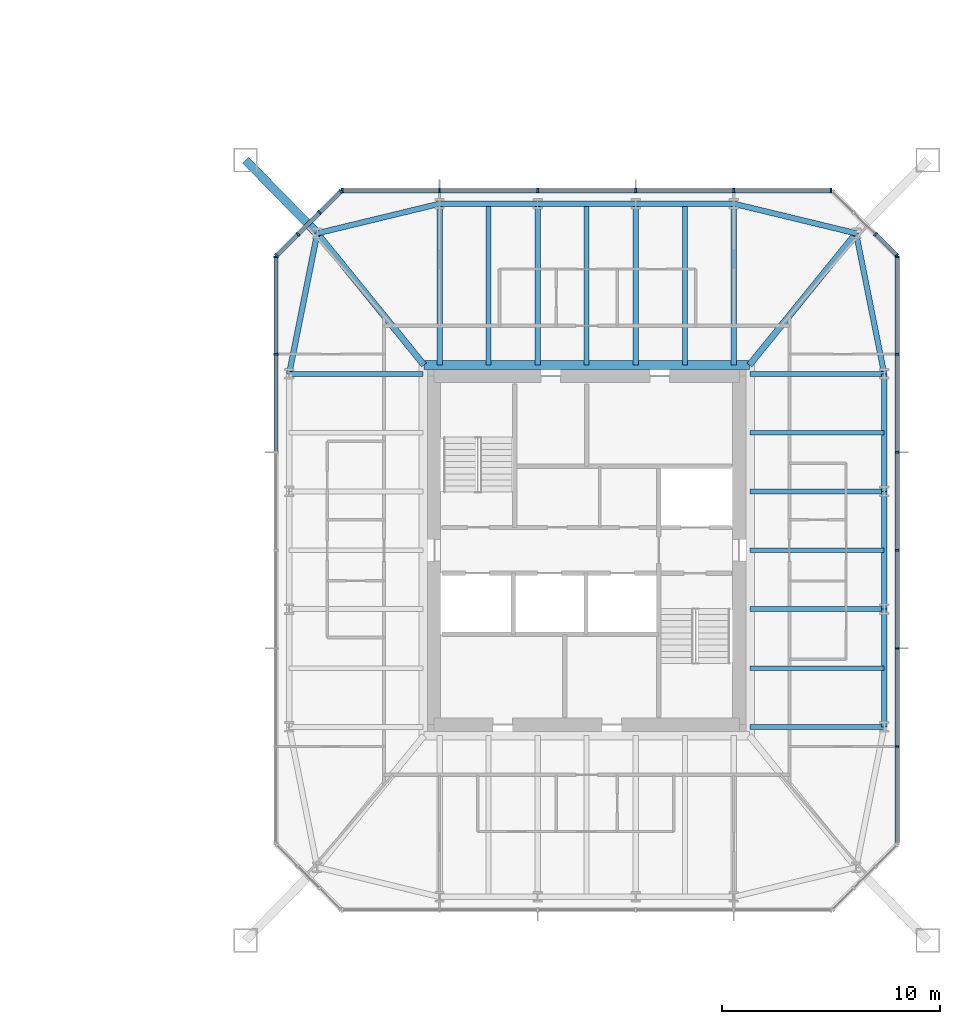
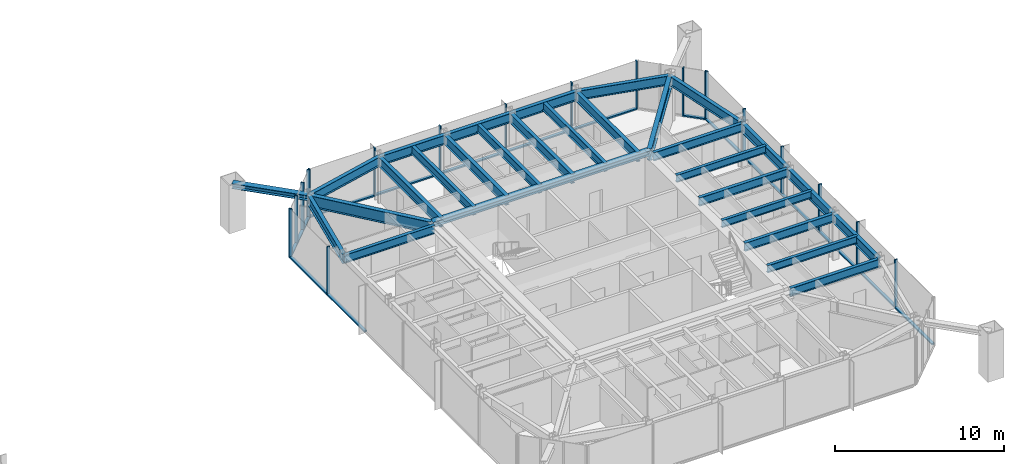
# One storey, part 9 of 25: 38 members, 28 beams, 5 elements without a shape of their own.
"""IFC4 building model written with IfcOpenShell, lengths in metres."""

from ifc_helpers import new_model, si_unit, direction, frame, origin, origin_2d, place, context, subcontext, project, spatial, rectangle, i_section, extrude, material, material_profile, profile_set, type_object, element, aggregate, save


model = new_model("IFC4")

# Units and contexts
model_context = context("Model", 3, precision=1e-05, world=origin(), true_north=direction((0.0, 1.0)))
body_context = subcontext(model_context, "Body", "Model", "MODEL_VIEW")
ifc_project = project(units=[si_unit("LENGTHUNIT", "METRE"), si_unit("AREAUNIT", "SQUARE_METRE"), si_unit("VOLUMEUNIT", "CUBIC_METRE"), si_unit("PLANEANGLEUNIT", "RADIAN"), si_unit("MASSUNIT", "GRAM", prefix="KILO")], contexts=[model_context])

# Site, building, storey
site_placement = place(None, origin())
site = spatial("IfcSite", under=ifc_project, at=site_placement, CompositionType="ELEMENT")
building_placement = place(site_placement, origin())
building = spatial("IfcBuilding", under=site, at=building_placement, Name="Iwan Alto Co-Living Towers", CompositionType="ELEMENT")
storey_placement = place(building_placement, frame((0.0, 0.0, 112.0)))
storey = spatial("IfcBuildingStorey", under=building, at=storey_placement, Name="L30", CompositionType="ELEMENT", Elevation=112.0)

# Curtain wall, members
ifc_material_1 = material(Name="Bronze aluminium unitised frame", Category="aluminium")
curtain_wall_type_1 = type_object("IfcCurtainWallType", Name="CURTAIN WALL CW-C", PredefinedType="NOTDEFINED", material=ifc_material_1)
curtain_wall_1_placement = place(storey_placement, origin())
curtain_wall_1 = element("IfcCurtainWall", 1, at=curtain_wall_1_placement, inside=storey, type_object=curtain_wall_type_1, Name="T2 curtain wall E L30", PredefinedType="NOTDEFINED")
ifc_material_2 = material(Name="Aluminium 6063-T6 bronze anodised", Category="aluminium")
ifc_material_profile_1 = material_profile(ifc_material_2, rectangle(XDim=0.199951171875, YDim=0.080078125, at=origin_2d()), Name="AL 80X200")
ifc_profile_set_1 = profile_set([ifc_material_profile_1], Name="Aluminium 6063-T6 bronze anodised")
member_type_1 = type_object("IfcMemberType", Name="CW-C MULLION 80X200", PredefinedType="MULLION", material=ifc_profile_set_1)
member_1_placement = place(storey_placement, frame((77.25, -9.0, 0.0), z_axis=(0.0, 0.0, 1.0), x_axis=(-1.0, 0.0, 0.0)))
member_1 = element("IfcMember", 2, at=member_1_placement, type_object=member_type_1, Name="CW-C mullion 2", PredefinedType="MULLION", context=body_context, shape_type="SweptSolid", body=[
    extrude(rectangle(XDim=0.199951171875, YDim=0.080078125, at=origin_2d()), origin(), (0.0, 0.0, 1.0), 3.5),
])
member_2_placement = place(storey_placement, frame((77.25, -4.5, 0.0), z_axis=(0.0, 0.0, 1.0), x_axis=(-1.0, 0.0, 0.0)))
member_2 = element("IfcMember", 3, at=member_2_placement, type_object=member_type_1, Name="CW-C mullion 3", PredefinedType="MULLION", context=body_context, shape_type="SweptSolid", body=[
    extrude(rectangle(XDim=0.199951171875, YDim=0.080078125, at=origin_2d()), origin(), (0.0, 0.0, 1.0), 3.5),
])
member_3_placement = place(storey_placement, frame((77.25, 0.0, 0.0), z_axis=(0.0, 0.0, 1.0), x_axis=(-1.0, 0.0, 0.0)))
member_3 = element("IfcMember", 4, at=member_3_placement, type_object=member_type_1, Name="CW-C mullion 4", PredefinedType="MULLION", context=body_context, shape_type="SweptSolid", body=[
    extrude(rectangle(XDim=0.199951171875, YDim=0.080078125, at=origin_2d()), origin(), (0.0, 0.0, 1.0), 3.5),
])
member_4_placement = place(storey_placement, frame((77.25, 4.5, 0.0), z_axis=(0.0, 0.0, 1.0), x_axis=(-1.0, 0.0, 0.0)))
member_4 = element("IfcMember", 5, at=member_4_placement, type_object=member_type_1, Name="CW-C mullion 5", PredefinedType="MULLION", context=body_context, shape_type="SweptSolid", body=[
    extrude(rectangle(XDim=0.199951171875, YDim=0.080078125, at=origin_2d()), origin(), (0.0, 0.0, 1.0), 3.5),
])
member_5_placement = place(storey_placement, frame((77.25, 9.0, 0.0), z_axis=(0.0, 0.0, 1.0), x_axis=(-1.0, 0.0, 0.0)))
member_5 = element("IfcMember", 6, at=member_5_placement, type_object=member_type_1, Name="CW-C mullion 6", PredefinedType="MULLION", context=body_context, shape_type="SweptSolid", body=[
    extrude(rectangle(XDim=0.199951171875, YDim=0.080078125, at=origin_2d()), origin(), (0.0, 0.0, 1.0), 3.5),
])
member_6_placement = place(storey_placement, frame((77.25, 13.4599609375, 0.0), z_axis=(0.0, 0.0, 1.0), x_axis=(-1.0, 0.0, 0.0)))
member_6 = element("IfcMember", 7, at=member_6_placement, type_object=member_type_1, Name="CW-C mullion 7", PredefinedType="MULLION", context=body_context, shape_type="SweptSolid", body=[
    extrude(rectangle(XDim=0.199951171875, YDim=0.080078125, at=origin_2d()), origin(), (0.0, 0.0, 1.0), 3.5),
])

curtain_wall_2_placement = place(storey_placement, origin())
curtain_wall_2 = element("IfcCurtainWall", 8, at=curtain_wall_2_placement, inside=storey, type_object=curtain_wall_type_1, Name="T2 curtain wall N L30", PredefinedType="NOTDEFINED")
member_7_placement = place(storey_placement, frame((74.2099609375, 16.5, 0.0), z_axis=(0.0, 0.0, 1.0), x_axis=(0.0, -1.0, 0.0)))
member_7 = element("IfcMember", 9, at=member_7_placement, type_object=member_type_1, Name="CW-C mullion 1", PredefinedType="MULLION", context=body_context, shape_type="SweptSolid", body=[
    extrude(rectangle(XDim=0.199951171875, YDim=0.080078125, at=origin_2d()), origin(), (0.0, 0.0, 1.0), 3.5),
])
member_8_placement = place(storey_placement, frame((69.75, 16.5, 0.0), z_axis=(0.0, 0.0, 1.0), x_axis=(0.0, -1.0, 0.0)))
member_8 = element("IfcMember", 10, at=member_8_placement, type_object=member_type_1, Name="CW-C mullion 2", PredefinedType="MULLION", context=body_context, shape_type="SweptSolid", body=[
    extrude(rectangle(XDim=0.199951171875, YDim=0.080078125, at=origin_2d()), origin(), (0.0, 0.0, 1.0), 3.5),
])
member_9_placement = place(storey_placement, frame((65.25, 16.5, 0.0), z_axis=(0.0, 0.0, 1.0), x_axis=(0.0, -1.0, 0.0)))
member_9 = element("IfcMember", 11, at=member_9_placement, type_object=member_type_1, Name="CW-C mullion 3", PredefinedType="MULLION", context=body_context, shape_type="SweptSolid", body=[
    extrude(rectangle(XDim=0.199951171875, YDim=0.080078125, at=origin_2d()), origin(), (0.0, 0.0, 1.0), 3.5),
])
member_10_placement = place(storey_placement, frame((60.75, 16.5, 0.0), z_axis=(0.0, 0.0, 1.0), x_axis=(0.0, -1.0, 0.0)))
member_10 = element("IfcMember", 12, at=member_10_placement, type_object=member_type_1, Name="CW-C mullion 4", PredefinedType="MULLION", context=body_context, shape_type="SweptSolid", body=[
    extrude(rectangle(XDim=0.199951171875, YDim=0.080078125, at=origin_2d()), origin(), (0.0, 0.0, 1.0), 3.5),
])
member_11_placement = place(storey_placement, frame((56.25, 16.5, 0.0), z_axis=(0.0, 0.0, 1.0), x_axis=(0.0, -1.0, 0.0)))
member_11 = element("IfcMember", 13, at=member_11_placement, type_object=member_type_1, Name="CW-C mullion 5", PredefinedType="MULLION", context=body_context, shape_type="SweptSolid", body=[
    extrude(rectangle(XDim=0.199951171875, YDim=0.080078125, at=origin_2d()), origin(), (0.0, 0.0, 1.0), 3.5),
])
member_12_placement = place(storey_placement, frame((51.7900390625, 16.5, 0.0), z_axis=(0.0, 0.0, 1.0), x_axis=(0.0, -1.0, 0.0)))
member_12 = element("IfcMember", 14, at=member_12_placement, type_object=member_type_1, Name="CW-C mullion 6", PredefinedType="MULLION", context=body_context, shape_type="SweptSolid", body=[
    extrude(rectangle(XDim=0.199951171875, YDim=0.080078125, at=origin_2d()), origin(), (0.0, 0.0, 1.0), 3.5),
])

curtain_wall_3_placement = place(storey_placement, origin())
curtain_wall_3 = element("IfcCurtainWall", 15, at=curtain_wall_3_placement, inside=storey, type_object=curtain_wall_type_1, Name="T2 curtain wall W L30", PredefinedType="NOTDEFINED")
member_13_placement = place(storey_placement, frame((48.75, 13.4599609375, 0.0), z_axis=(0.0, 0.0, 1.0), x_axis=(1.0, 0.0, 0.0)))
member_13 = element("IfcMember", 16, at=member_13_placement, type_object=member_type_1, Name="CW-C mullion 1", PredefinedType="MULLION", context=body_context, shape_type="SweptSolid", body=[
    extrude(rectangle(XDim=0.199951171875, YDim=0.080078125, at=origin_2d()), origin(), (0.0, 0.0, 1.0), 3.5),
])
member_14_placement = place(storey_placement, frame((48.75, 9.0, 0.0), z_axis=(0.0, 0.0, 1.0), x_axis=(1.0, 0.0, 0.0)))
member_14 = element("IfcMember", 17, at=member_14_placement, type_object=member_type_1, Name="CW-C mullion 2", PredefinedType="MULLION", context=body_context, shape_type="SweptSolid", body=[
    extrude(rectangle(XDim=0.199951171875, YDim=0.080078125, at=origin_2d()), origin(), (0.0, 0.0, 1.0), 3.5),
])

# Member
ifc_material_3 = material(Name="Aluminium 6063-T6 bronze anodised", Category="aluminium")
ifc_material_profile_2 = material_profile(ifc_material_3, rectangle(XDim=0.199951171875, YDim=0.10009765625, at=origin_2d()), Name="AL 200X100")
ifc_profile_set_2 = profile_set([ifc_material_profile_2], Name="Aluminium 6063-T6 bronze anodised")
member_type_2 = type_object("IfcMemberType", Name="CW-C TRANSOM 200X100", PredefinedType="USERDEFINED", material=ifc_profile_set_2)
member_15_placement = place(storey_placement, frame((77.25, -13.419921875, 0.050048828125), z_axis=(0.0, 1.0, 0.0), x_axis=(-1.0, 0.0, 0.0)))
member_15 = element("IfcMember", 18, at=member_15_placement, type_object=member_type_2, Name="CW-C transom 1.1", ObjectType="TRANSOM", PredefinedType="USERDEFINED", context=body_context, shape_type="SweptSolid", body=[
    extrude(rectangle(XDim=0.199951171875, YDim=0.10009765625, at=origin_2d()), origin(), (0.0, 0.0, 1.0), 4.3798828125),
])

member_16_placement = place(storey_placement, frame((77.25, -8.9599609375, 0.050048828125), z_axis=(0.0, 1.0, 0.0), x_axis=(-1.0, 0.0, 0.0)))
member_16 = element("IfcMember", 19, at=member_16_placement, type_object=member_type_2, Name="CW-C transom 2.1", ObjectType="TRANSOM", PredefinedType="USERDEFINED", context=body_context, shape_type="SweptSolid", body=[
    extrude(rectangle(XDim=0.199951171875, YDim=0.10009765625, at=origin_2d()), origin(), (0.0, 0.0, 1.0), 4.419921875),
])

member_17_placement = place(storey_placement, frame((77.25, -4.4599609375, 0.050048828125), z_axis=(0.0, 1.0, 0.0), x_axis=(-1.0, 0.0, 0.0)))
member_17 = element("IfcMember", 20, at=member_17_placement, type_object=member_type_2, Name="CW-C transom 3.1", ObjectType="TRANSOM", PredefinedType="USERDEFINED", context=body_context, shape_type="SweptSolid", body=[
    extrude(rectangle(XDim=0.199951171875, YDim=0.10009765625, at=origin_2d()), origin(), (0.0, 0.0, 1.0), 4.419921875),
])

member_18_placement = place(storey_placement, frame((77.25, 0.0400390625, 0.050048828125), z_axis=(0.0, 1.0, 0.0), x_axis=(-1.0, 0.0, 0.0)))
member_18 = element("IfcMember", 21, at=member_18_placement, type_object=member_type_2, Name="CW-C transom 4.1", ObjectType="TRANSOM", PredefinedType="USERDEFINED", context=body_context, shape_type="SweptSolid", body=[
    extrude(rectangle(XDim=0.199951171875, YDim=0.10009765625, at=origin_2d()), origin(), (0.0, 0.0, 1.0), 4.419921875),
])

member_19_placement = place(storey_placement, frame((77.25, 4.5400390625, 0.050048828125), z_axis=(0.0, 1.0, 0.0), x_axis=(-1.0, 0.0, 0.0)))
member_19 = element("IfcMember", 22, at=member_19_placement, type_object=member_type_2, Name="CW-C transom 5.1", ObjectType="TRANSOM", PredefinedType="USERDEFINED", context=body_context, shape_type="SweptSolid", body=[
    extrude(rectangle(XDim=0.199951171875, YDim=0.10009765625, at=origin_2d()), origin(), (0.0, 0.0, 1.0), 4.419921875),
])

member_20_placement = place(storey_placement, frame((77.25, 9.0400390625, 0.050048828125), z_axis=(0.0, 1.0, 0.0), x_axis=(-1.0, 0.0, 0.0)))
member_20 = element("IfcMember", 23, at=member_20_placement, type_object=member_type_2, Name="CW-C transom 6.1", ObjectType="TRANSOM", PredefinedType="USERDEFINED", context=body_context, shape_type="SweptSolid", body=[
    extrude(rectangle(XDim=0.199951171875, YDim=0.10009765625, at=origin_2d()), origin(), (0.0, 0.0, 1.0), 4.3798828125),
])

aggregate(curtain_wall_1, [member_1, member_2, member_3, member_4, member_5, member_6, member_15, member_16, member_17, member_18, member_19, member_20])

member_21_placement = place(storey_placement, frame((74.169921875, 16.5, 0.050048828125), z_axis=(-1.0, 0.0, 0.0), x_axis=(0.0, -1.0, 0.0)))
member_21 = element("IfcMember", 24, at=member_21_placement, type_object=member_type_2, Name="CW-C transom 1.1", ObjectType="TRANSOM", PredefinedType="USERDEFINED", context=body_context, shape_type="SweptSolid", body=[
    extrude(rectangle(XDim=0.199951171875, YDim=0.10009765625, at=origin_2d()), origin(), (0.0, 0.0, 1.0), 4.3798828125),
])

member_22_placement = place(storey_placement, frame((69.7099609375, 16.5, 0.050048828125), z_axis=(-1.0, 0.0, 0.0), x_axis=(0.0, -1.0, 0.0)))
member_22 = element("IfcMember", 25, at=member_22_placement, type_object=member_type_2, Name="CW-C transom 2.1", ObjectType="TRANSOM", PredefinedType="USERDEFINED", context=body_context, shape_type="SweptSolid", body=[
    extrude(rectangle(XDim=0.199951171875, YDim=0.10009765625, at=origin_2d()), origin(), (0.0, 0.0, 1.0), 4.419921875),
])

member_23_placement = place(storey_placement, frame((65.2099609375, 16.5, 0.050048828125), z_axis=(-1.0, 0.0, 0.0), x_axis=(0.0, -1.0, 0.0)))
member_23 = element("IfcMember", 26, at=member_23_placement, type_object=member_type_2, Name="CW-C transom 3.1", ObjectType="TRANSOM", PredefinedType="USERDEFINED", context=body_context, shape_type="SweptSolid", body=[
    extrude(rectangle(XDim=0.199951171875, YDim=0.10009765625, at=origin_2d()), origin(), (0.0, 0.0, 1.0), 4.419921875),
])

member_24_placement = place(storey_placement, frame((60.7099609375, 16.5, 0.050048828125), z_axis=(-1.0, 0.0, 0.0), x_axis=(0.0, -1.0, 0.0)))
member_24 = element("IfcMember", 27, at=member_24_placement, type_object=member_type_2, Name="CW-C transom 4.1", ObjectType="TRANSOM", PredefinedType="USERDEFINED", context=body_context, shape_type="SweptSolid", body=[
    extrude(rectangle(XDim=0.199951171875, YDim=0.10009765625, at=origin_2d()), origin(), (0.0, 0.0, 1.0), 4.419921875),
])

member_25_placement = place(storey_placement, frame((56.2099609375, 16.5, 0.050048828125), z_axis=(-1.0, 0.0, 0.0), x_axis=(0.0, -1.0, 0.0)))
member_25 = element("IfcMember", 28, at=member_25_placement, type_object=member_type_2, Name="CW-C transom 5.1", ObjectType="TRANSOM", PredefinedType="USERDEFINED", context=body_context, shape_type="SweptSolid", body=[
    extrude(rectangle(XDim=0.199951171875, YDim=0.10009765625, at=origin_2d()), origin(), (0.0, 0.0, 1.0), 4.3798828125),
])

aggregate(curtain_wall_2, [member_7, member_8, member_9, member_10, member_11, member_12, member_21, member_22, member_23, member_24, member_25])

member_26_placement = place(storey_placement, frame((48.75, 13.419921875, 0.050048828125), z_axis=(0.0, -1.0, 0.0), x_axis=(1.0, 0.0, 0.0)))
member_26 = element("IfcMember", 29, at=member_26_placement, type_object=member_type_2, Name="CW-C transom 1.1", ObjectType="TRANSOM", PredefinedType="USERDEFINED", context=body_context, shape_type="SweptSolid", body=[
    extrude(rectangle(XDim=0.199951171875, YDim=0.10009765625, at=origin_2d()), origin(), (0.0, 0.0, 1.0), 4.3798828125),
])

member_27_placement = place(storey_placement, frame((48.75, 8.9599609375, 0.050048828125), z_axis=(0.0, -1.0, 0.0), x_axis=(1.0, 0.0, 0.0)))
member_27 = element("IfcMember", 30, at=member_27_placement, type_object=member_type_2, Name="CW-C transom 2.1", ObjectType="TRANSOM", PredefinedType="USERDEFINED", context=body_context, shape_type="SweptSolid", body=[
    extrude(rectangle(XDim=0.199951171875, YDim=0.10009765625, at=origin_2d()), origin(), (0.0, 0.0, 1.0), 4.419921875),
])

aggregate(curtain_wall_3, [member_13, member_14, member_26, member_27])

# Curtain wall, members
ifc_material_4 = material(Name="Bronze aluminium unitised frame", Category="aluminium")
curtain_wall_type_2 = type_object("IfcCurtainWallType", Name="CURTAIN WALL CW-D", PredefinedType="NOTDEFINED", material=ifc_material_4)
curtain_wall_4_placement = place(storey_placement, origin())
curtain_wall_4 = element("IfcCurtainWall", 31, at=curtain_wall_4_placement, inside=storey, type_object=curtain_wall_type_2, Name="T2 chamfer curtain wall NE L30", PredefinedType="NOTDEFINED")
ifc_material_5 = material(Name="Aluminium 6063-T6 bronze anodised", Category="aluminium")
ifc_material_profile_3 = material_profile(ifc_material_5, rectangle(XDim=0.199951171875, YDim=0.080078125, at=origin_2d()), Name="AL 80X200")
ifc_profile_set_3 = profile_set([ifc_material_profile_3], Name="Aluminium 6063-T6 bronze anodised")
member_type_3 = type_object("IfcMemberType", Name="CW-D MULLION 80X200", PredefinedType="MULLION", material=ifc_profile_set_3)
member_28_placement = place(storey_placement, frame((77.2216796875, 13.5283203125, 0.0), z_axis=(0.0, 0.0, 1.0), x_axis=(-0.707106781187, -0.707106781187, 0.0)))
member_28 = element("IfcMember", 32, at=member_28_placement, type_object=member_type_3, Name="CW-D mullion 1", PredefinedType="MULLION", context=body_context, shape_type="SweptSolid", body=[
    extrude(rectangle(XDim=0.199951171875, YDim=0.080078125, at=origin_2d()), origin(), (0.0, 0.0, 1.0), 3.5),
])
member_29_placement = place(storey_placement, frame((76.25, 14.5, 0.0), z_axis=(0.0, 0.0, 1.0), x_axis=(-0.707106781187, -0.707106781187, 0.0)))
member_29 = element("IfcMember", 33, at=member_29_placement, type_object=member_type_3, Name="CW-D mullion 2", PredefinedType="MULLION", context=body_context, shape_type="SweptSolid", body=[
    extrude(rectangle(XDim=0.199951171875, YDim=0.080078125, at=origin_2d()), origin(), (0.0, 0.0, 1.0), 3.5),
])

curtain_wall_5_placement = place(storey_placement, origin())
curtain_wall_5 = element("IfcCurtainWall", 34, at=curtain_wall_5_placement, inside=storey, type_object=curtain_wall_type_2, Name="T2 chamfer curtain wall NW L30", PredefinedType="NOTDEFINED")
member_30_placement = place(storey_placement, frame((51.7216796875, 16.4716796875, 0.0), z_axis=(0.0, 0.0, 1.0), x_axis=(0.707106781187, -0.707106781187, 0.0)))
member_30 = element("IfcMember", 35, at=member_30_placement, type_object=member_type_3, Name="CW-D mullion 1", PredefinedType="MULLION", context=body_context, shape_type="SweptSolid", body=[
    extrude(rectangle(XDim=0.199951171875, YDim=0.080078125, at=origin_2d()), origin(), (0.0, 0.0, 1.0), 3.5),
])
member_31_placement = place(storey_placement, frame((50.75, 15.5, 0.0), z_axis=(0.0, 0.0, 1.0), x_axis=(0.707106781187, -0.707106781187, 0.0)))
member_31 = element("IfcMember", 36, at=member_31_placement, type_object=member_type_3, Name="CW-D mullion 2", PredefinedType="MULLION", context=body_context, shape_type="SweptSolid", body=[
    extrude(rectangle(XDim=0.199951171875, YDim=0.080078125, at=origin_2d()), origin(), (0.0, 0.0, 1.0), 3.5),
])
member_32_placement = place(storey_placement, frame((49.75, 14.5, 0.0), z_axis=(0.0, 0.0, 1.0), x_axis=(0.707106781187, -0.707106781187, 0.0)))
member_32 = element("IfcMember", 37, at=member_32_placement, type_object=member_type_3, Name="CW-D mullion 3", PredefinedType="MULLION", context=body_context, shape_type="SweptSolid", body=[
    extrude(rectangle(XDim=0.199951171875, YDim=0.080078125, at=origin_2d()), origin(), (0.0, 0.0, 1.0), 3.5),
])
member_33_placement = place(storey_placement, frame((48.7783203125, 13.5283203125, 0.0), z_axis=(0.0, 0.0, 1.0), x_axis=(0.707106781187, -0.707106781187, 0.0)))
member_33 = element("IfcMember", 38, at=member_33_placement, type_object=member_type_3, Name="CW-D mullion 4", PredefinedType="MULLION", context=body_context, shape_type="SweptSolid", body=[
    extrude(rectangle(XDim=0.199951171875, YDim=0.080078125, at=origin_2d()), origin(), (0.0, 0.0, 1.0), 3.5),
])

# Member
ifc_material_6 = material(Name="Aluminium 6063-T6 bronze anodised", Category="aluminium")
ifc_material_profile_4 = material_profile(ifc_material_6, rectangle(XDim=0.199951171875, YDim=0.10009765625, at=origin_2d()), Name="AL 200X100")
ifc_profile_set_4 = profile_set([ifc_material_profile_4], Name="Aluminium 6063-T6 bronze anodised")
member_type_4 = type_object("IfcMemberType", Name="CW-D TRANSOM 200X100", PredefinedType="USERDEFINED", material=ifc_profile_set_4)
member_34_placement = place(storey_placement, frame((77.193359375, 13.556640625, 0.050048828125), z_axis=(-0.707106781187, 0.707106781187, 0.0), x_axis=(-0.707106781187, -0.707106781187, 0.0)))
member_34 = element("IfcMember", 39, at=member_34_placement, type_object=member_type_4, Name="CW-D transom 1.1", ObjectType="TRANSOM", PredefinedType="USERDEFINED", context=body_context, shape_type="SweptSolid", body=[
    extrude(rectangle(XDim=0.199951171875, YDim=0.10009765625, at=origin_2d()), origin(), (0.0, 0.0, 1.0), 1.2939453125),
])

aggregate(curtain_wall_4, [member_28, member_29, member_34])

member_35_placement = place(storey_placement, frame((51.693359375, 16.443359375, 0.050048828125), z_axis=(-0.707106781187, -0.707106781187, 0.0), x_axis=(0.707106781187, -0.707106781187, 0.0)))
member_35 = element("IfcMember", 40, at=member_35_placement, type_object=member_type_4, Name="CW-D transom 1.1", ObjectType="TRANSOM", PredefinedType="USERDEFINED", context=body_context, shape_type="SweptSolid", body=[
    extrude(rectangle(XDim=0.199951171875, YDim=0.10009765625, at=origin_2d()), origin(), (0.0, 0.0, 1.0), 1.2939453125),
])

member_36_placement = place(storey_placement, frame((50.7216796875, 15.4716796875, 0.050048828125), z_axis=(-0.707106781187, -0.707106781187, 0.0), x_axis=(0.707106781187, -0.707106781187, 0.0)))
member_36 = element("IfcMember", 41, at=member_36_placement, type_object=member_type_4, Name="CW-D transom 2.1", ObjectType="TRANSOM", PredefinedType="USERDEFINED", context=body_context, shape_type="SweptSolid", body=[
    extrude(rectangle(XDim=0.199951171875, YDim=0.10009765625, at=origin_2d()), origin(), (0.0, 0.0, 1.0), 1.334228515625),
])

member_37_placement = place(storey_placement, frame((49.7216796875, 14.4716796875, 0.050048828125), z_axis=(-0.707106781187, -0.707106781187, 0.0), x_axis=(0.707106781187, -0.707106781187, 0.0)))
member_37 = element("IfcMember", 42, at=member_37_placement, type_object=member_type_4, Name="CW-D transom 3.1", ObjectType="TRANSOM", PredefinedType="USERDEFINED", context=body_context, shape_type="SweptSolid", body=[
    extrude(rectangle(XDim=0.199951171875, YDim=0.10009765625, at=origin_2d()), origin(), (0.0, 0.0, 1.0), 1.2939453125),
])

aggregate(curtain_wall_5, [member_30, member_31, member_32, member_33, member_35, member_36, member_37])

# Beams
ifc_material_7 = material(Name="Steel ASTM A992 Gr 50", Category="steel")
ifc_material_profile_5 = material_profile(ifc_material_7, i_section(OverallWidth=0.398681640625, OverallDepth=0.385986328125, WebThickness=0.02099609375, FlangeThickness=0.033203125, at=origin_2d()), Name="W14X176")
ifc_profile_set_5 = profile_set([ifc_material_profile_5], Name="Steel ASTM A992 Gr 50")
beam_type_1 = type_object("IfcBeamType", Name="T2 CORE LEDGER BEAM W14X176", PredefinedType="BEAM", material=ifc_profile_set_5)
beam_1_placement = place(storey_placement, frame((70.461669921875, 8.49951171875, 3.076904296875), z_axis=(-1.0, 0.0, 0.0), x_axis=(0.0, -1.0, 0.0)))
element("IfcBeam", 43, at=beam_1_placement, inside=storey, type_object=beam_type_1, Name="T2 core ledger beam N L31", PredefinedType="BEAM", context=body_context, shape_type="SweptSolid", body=[
    extrude(i_section(OverallWidth=0.398681640625, OverallDepth=0.385986328125, WebThickness=0.02099609375, FlangeThickness=0.033203125, at=origin_2d()), origin(), (0.0, 0.0, 1.0), 14.92333984375),
])
ifc_material_8 = material(Name="Steel ASTM A992 Gr 50", Category="steel")
ifc_material_profile_6 = material_profile(ifc_material_8, i_section(OverallWidth=0.2919921875, OverallDepth=0.8408203125, WebThickness=0.0146484375, FlangeThickness=0.021728515625, at=origin_2d()), Name="W33X130")
ifc_profile_set_6 = profile_set([ifc_material_profile_6], Name="Steel ASTM A992 Gr 50")
beam_type_2 = type_object("IfcBeamType", Name="T2 CORNER GIRDER W33X130", PredefinedType="BEAM", material=ifc_profile_set_6)
for number, where, z_axis, x_axis, name in (
    (44, (75.361328125, 14.542724609375, 2.849609375), (-0.629783024592, -0.776771100091, 0.0), (0.776771100091, -0.629783024592, 0.0), "T2 corner girder CNE L31"),
    (45, (50.638671875, 14.542724609375, 2.849609375), (0.629783024592, -0.776771100091, 0.0), (0.776771100091, 0.629783024592, 0.0), "T2 corner girder CNW L31"),
):
    element("IfcBeam", number, at=place(storey_placement, frame(where, z_axis=z_axis, x_axis=x_axis)), inside=storey, type_object=beam_type_2, Name=name, PredefinedType="BEAM", context=body_context, shape_type="SweptSolid", body=[
        extrude(i_section(OverallWidth=0.2919921875, OverallDepth=0.8408203125, WebThickness=0.0146484375, FlangeThickness=0.021728515625, at=origin_2d()), origin(), (0.0, 0.0, 1.0), 7.780029296875),
    ])
ifc_material_9 = material(Name="Steel ASTM A992 Gr 50", Category="steel")
ifc_material_profile_7 = material_profile(ifc_material_9, i_section(OverallWidth=0.25390625, OverallDepth=0.683349609375, WebThickness=0.012451171875, FlangeThickness=0.018798828125, at=origin_2d()), Name="W27X94")
ifc_profile_set_7 = profile_set([ifc_material_profile_7], Name="Steel ASTM A992 Gr 50")
beam_type_3 = type_object("IfcBeamType", Name="T2 EDGE BEAM W27X94", PredefinedType="BEAM", material=ifc_profile_set_7)
beam_2_placement = place(storey_placement, frame((76.64990234375, -8.10009765625, 2.928466796875), z_axis=(0.0, 1.0, 0.0), x_axis=(-1.0, 0.0, 0.0)))
element("IfcBeam", 46, at=beam_2_placement, inside=storey, type_object=beam_type_3, Name="T2 edge beam E1 L31", PredefinedType="BEAM", context=body_context, shape_type="SweptSolid", body=[
    extrude(i_section(OverallWidth=0.25390625, OverallDepth=0.683349609375, WebThickness=0.012451171875, FlangeThickness=0.018798828125, at=origin_2d()), origin(), (0.0, 0.0, 1.0), 5.400146484375),
])
beam_3_placement = place(storey_placement, frame((76.64990234375, -2.699951171875, 2.928466796875), z_axis=(0.0, 1.0, 0.0), x_axis=(-1.0, 0.0, 0.0)))
element("IfcBeam", 47, at=beam_3_placement, inside=storey, type_object=beam_type_3, Name="T2 edge beam E2 L31", PredefinedType="BEAM", context=body_context, shape_type="SweptSolid", body=[
    extrude(i_section(OverallWidth=0.25390625, OverallDepth=0.683349609375, WebThickness=0.012451171875, FlangeThickness=0.018798828125, at=origin_2d()), origin(), (0.0, 0.0, 1.0), 5.39990234375),
])
beam_4_placement = place(storey_placement, frame((76.64990234375, 2.699951171875, 2.928466796875), z_axis=(0.0, 1.0, 0.0), x_axis=(-1.0, 0.0, 0.0)))
element("IfcBeam", 48, at=beam_4_placement, inside=storey, type_object=beam_type_3, Name="T2 edge beam E3 L31", PredefinedType="BEAM", context=body_context, shape_type="SweptSolid", body=[
    extrude(i_section(OverallWidth=0.25390625, OverallDepth=0.683349609375, WebThickness=0.012451171875, FlangeThickness=0.018798828125, at=origin_2d()), origin(), (0.0, 0.0, 1.0), 5.400146484375),
])
beam_5_placement = place(storey_placement, frame((76.64990234375, 8.10009765625, 2.928466796875), z_axis=(-0.196123281025, 0.980579246487, 0.0), x_axis=(-0.980579246487, -0.196123281025, 0.0)))
element("IfcBeam", 49, at=beam_5_placement, inside=storey, type_object=beam_type_3, Name="T2 edge beam E4 L31", PredefinedType="BEAM", context=body_context, shape_type="SweptSolid", body=[
    extrude(i_section(OverallWidth=0.25390625, OverallDepth=0.683349609375, WebThickness=0.012451171875, FlangeThickness=0.018798828125, at=origin_2d()), origin(), (0.0, 0.0, 1.0), 6.5703125),
])
beam_6_placement = place(storey_placement, frame((75.361328125, 14.542724609375, 2.928466796875), z_axis=(-0.971974673138, 0.235085590323, 0.0), x_axis=(-0.235085590323, -0.971974673138, 0.0)))
element("IfcBeam", 50, at=beam_6_placement, inside=storey, type_object=beam_type_3, Name="T2 edge beam CNE L31", PredefinedType="BEAM", context=body_context, shape_type="SweptSolid", body=[
    extrude(i_section(OverallWidth=0.25390625, OverallDepth=0.683349609375, WebThickness=0.012451171875, FlangeThickness=0.018798828125, at=origin_2d()), origin(), (0.0, 0.0, 1.0), 5.773193359375),
])
for number, where, z_axis, x_axis, name in (
    (51, (69.75, 15.89990234375, 2.928466796875), (-1.0, 0.0, 0.0), (0.0, -1.0, 0.0), "T2 edge beam N1 L31"),
    (52, (65.25, 15.89990234375, 2.928466796875), (-1.0, 0.0, 0.0), (0.0, -1.0, 0.0), "T2 edge beam N2 L31"),
    (53, (60.75, 15.89990234375, 2.928466796875), (-1.0, 0.0, 0.0), (0.0, -1.0, 0.0), "T2 edge beam N3 L31"),
):
    element("IfcBeam", number, at=place(storey_placement, frame(where, z_axis=z_axis, x_axis=x_axis)), inside=storey, type_object=beam_type_3, Name=name, PredefinedType="BEAM", context=body_context, shape_type="SweptSolid", body=[
        extrude(i_section(OverallWidth=0.25390625, OverallDepth=0.683349609375, WebThickness=0.012451171875, FlangeThickness=0.018798828125, at=origin_2d()), origin(), (0.0, 0.0, 1.0), 4.5),
    ])
beam_7_placement = place(storey_placement, frame((56.25, 15.89990234375, 2.928466796875), z_axis=(-0.971974673138, -0.235085590323, 0.0), x_axis=(0.235085590323, -0.971974673138, 0.0)))
element("IfcBeam", 54, at=beam_7_placement, inside=storey, type_object=beam_type_3, Name="T2 edge beam N4 L31", PredefinedType="BEAM", context=body_context, shape_type="SweptSolid", body=[
    extrude(i_section(OverallWidth=0.25390625, OverallDepth=0.683349609375, WebThickness=0.012451171875, FlangeThickness=0.018798828125, at=origin_2d()), origin(), (0.0, 0.0, 1.0), 5.773193359375),
])
beam_8_placement = place(storey_placement, frame((50.638671875, 14.542724609375, 2.928466796875), z_axis=(-0.196123281025, -0.980579246487, 0.0), x_axis=(0.980579246487, -0.196123281025, 0.0)))
element("IfcBeam", 55, at=beam_8_placement, inside=storey, type_object=beam_type_3, Name="T2 edge beam CNW L31", PredefinedType="BEAM", context=body_context, shape_type="SweptSolid", body=[
    extrude(i_section(OverallWidth=0.25390625, OverallDepth=0.683349609375, WebThickness=0.012451171875, FlangeThickness=0.018798828125, at=origin_2d()), origin(), (0.0, 0.0, 1.0), 6.5703125),
])

# Member
ifc_material_10 = material(Name="Steel ASTM A992 Gr 50", Category="steel")
ifc_material_profile_8 = material_profile(ifc_material_10, i_section(OverallWidth=0.393798828125, OverallDepth=0.3759765625, WebThickness=0.017333984375, FlangeThickness=0.027587890625, at=origin_2d()), Name="W14X145")
ifc_profile_set_8 = profile_set([ifc_material_profile_8], Name="Steel ASTM A992 Gr 50")
member_type_5 = type_object("IfcMemberType", Name="T2 MEGA COLUMN FLOOR TIE W14X145", PredefinedType="STRUT", material=ifc_profile_set_8)
member_38_placement = place(storey_placement, frame((47.35009765625, 17.89990234375, 3.08203125), z_axis=(0.699770096147, -0.714368121166, 0.0), x_axis=(0.714368121166, 0.699770096147, 0.0)))
element("IfcMember", 56, at=member_38_placement, inside=storey, type_object=member_type_5, Name="T2 mega column floor tie NW L31", PredefinedType="STRUT", context=body_context, shape_type="SweptSolid", body=[
    extrude(i_section(OverallWidth=0.393798828125, OverallDepth=0.3759765625, WebThickness=0.017333984375, FlangeThickness=0.027587890625, at=origin_2d()), origin(), (0.0, 0.0, 1.0), 4.699462890625),
])

# Beams
ifc_material_11 = material(Name="Steel ASTM A992 Gr 50", Category="steel")
ifc_material_profile_9 = material_profile(ifc_material_11, i_section(OverallWidth=0.228271484375, OverallDepth=0.607177734375, WebThickness=0.01123046875, FlangeThickness=0.017333984375, at=origin_2d()), Name="W24X76")
ifc_profile_set_9 = profile_set([ifc_material_profile_9], Name="Steel ASTM A992 Gr 50")
beam_type_4 = type_object("IfcBeamType", Name="T2 RADIAL BEAM W24X76", PredefinedType="BEAM", material=ifc_profile_set_9)
for number, where, z_axis, x_axis, name in (
    (57, (76.64990234375, -8.10009765625, 2.966552734375), (-1.0, 0.0, 0.0), (0.0, -1.0, 0.0), "T2 radial beam E1 L31"),
    (58, (76.64990234375, -2.699951171875, 2.966552734375), (-1.0, 0.0, 0.0), (0.0, -1.0, 0.0), "T2 radial beam E2 L31"),
    (59, (76.64990234375, 2.699951171875, 2.966552734375), (-1.0, 0.0, 0.0), (0.0, -1.0, 0.0), "T2 radial beam E3 L31"),
    (60, (76.64990234375, 8.10009765625, 2.966552734375), (-1.0, 0.0, 0.0), (0.0, -1.0, 0.0), "T2 radial beam E4 L31"),
    (61, (49.35009765625, 8.10009765625, 2.966552734375), (1.0, 0.0, 0.0), (0.0, 1.0, 0.0), "T2 radial beam W1 L31"),
):
    element("IfcBeam", number, at=place(storey_placement, frame(where, z_axis=z_axis, x_axis=x_axis)), inside=storey, type_object=beam_type_4, Name=name, PredefinedType="BEAM", context=body_context, shape_type="SweptSolid", body=[
        extrude(i_section(OverallWidth=0.228271484375, OverallDepth=0.607177734375, WebThickness=0.01123046875, FlangeThickness=0.017333984375, at=origin_2d()), origin(), (0.0, 0.0, 1.0), 6.150390625),
    ])
ifc_material_12 = material(Name="Steel ASTM A992 Gr 50", Category="steel")
ifc_material_profile_10 = material_profile(ifc_material_12, i_section(OverallWidth=0.25390625, OverallDepth=0.683349609375, WebThickness=0.012451171875, FlangeThickness=0.018798828125, at=origin_2d()), Name="W27X94")
ifc_profile_set_10 = profile_set([ifc_material_profile_10], Name="Steel ASTM A992 Gr 50")
beam_type_5 = type_object("IfcBeamType", Name="T2 RADIAL BEAM W27X94", PredefinedType="BEAM", material=ifc_profile_set_10)
for number, where, z_axis, x_axis, name in (
    (62, (69.75, 15.89990234375, 2.928466796875), (0.0, -1.0, 0.0), (1.0, 0.0, 0.0), "T2 radial beam N1 L31"),
    (63, (65.25, 15.89990234375, 2.928466796875), (0.0, -1.0, 0.0), (1.0, 0.0, 0.0), "T2 radial beam N2 L31"),
    (64, (60.75, 15.89990234375, 2.928466796875), (0.0, -1.0, 0.0), (1.0, 0.0, 0.0), "T2 radial beam N3 L31"),
    (65, (56.25, 15.89990234375, 2.928466796875), (0.0, -1.0, 0.0), (1.0, 0.0, 0.0), "T2 radial beam N4 L31"),
):
    element("IfcBeam", number, at=place(storey_placement, frame(where, z_axis=z_axis, x_axis=x_axis)), inside=storey, type_object=beam_type_5, Name=name, PredefinedType="BEAM", context=body_context, shape_type="SweptSolid", body=[
        extrude(i_section(OverallWidth=0.25390625, OverallDepth=0.683349609375, WebThickness=0.012451171875, FlangeThickness=0.018798828125, at=origin_2d()), origin(), (0.0, 0.0, 1.0), 7.400390625),
    ])
ifc_material_13 = material(Name="Steel ASTM A992 Gr 50", Category="steel")
ifc_material_profile_11 = material_profile(ifc_material_13, i_section(OverallWidth=0.209228515625, OverallDepth=0.533447265625, WebThickness=0.01025390625, FlangeThickness=0.015625, at=origin_2d()), Name="W21X62")
ifc_profile_set_11 = profile_set([ifc_material_profile_11], Name="Steel ASTM A992 Gr 50")
beam_type_6 = type_object("IfcBeamType", Name="T2 SECONDARY BEAM W21X62", PredefinedType="JOIST", material=ifc_profile_set_11)
for number, where, z_axis, x_axis, name in (
    (66, (76.64990234375, -5.39990234375, 3.00341796875), (-1.0, 0.0, 0.0), (0.0, -1.0, 0.0), "T2 secondary beam E1 L31"),
    (67, (76.64990234375, 0.0, 3.00341796875), (-1.0, 0.0, 0.0), (0.0, -1.0, 0.0), "T2 secondary beam E2 L31"),
    (68, (76.64990234375, 5.39990234375, 3.00341796875), (-1.0, 0.0, 0.0), (0.0, -1.0, 0.0), "T2 secondary beam E3 L31"),
):
    element("IfcBeam", number, at=place(storey_placement, frame(where, z_axis=z_axis, x_axis=x_axis)), inside=storey, type_object=beam_type_6, Name=name, PredefinedType="JOIST", context=body_context, shape_type="SweptSolid", body=[
        extrude(i_section(OverallWidth=0.209228515625, OverallDepth=0.533447265625, WebThickness=0.01025390625, FlangeThickness=0.015625, at=origin_2d()), origin(), (0.0, 0.0, 1.0), 6.150390625),
    ])
ifc_material_14 = material(Name="Steel ASTM A992 Gr 50", Category="steel")
ifc_material_profile_12 = material_profile(ifc_material_14, i_section(OverallWidth=0.228271484375, OverallDepth=0.607177734375, WebThickness=0.01123046875, FlangeThickness=0.017333984375, at=origin_2d()), Name="W24X76")
ifc_profile_set_12 = profile_set([ifc_material_profile_12], Name="Steel ASTM A992 Gr 50")
beam_type_7 = type_object("IfcBeamType", Name="T2 SECONDARY BEAM W24X76", PredefinedType="JOIST", material=ifc_profile_set_12)
for number, where, z_axis, x_axis, name in (
    (69, (67.5, 15.89990234375, 2.966552734375), (0.0, -1.0, 0.0), (1.0, 0.0, 0.0), "T2 secondary beam N1 L31"),
    (70, (63.0, 15.89990234375, 2.966552734375), (0.0, -1.0, 0.0), (1.0, 0.0, 0.0), "T2 secondary beam N2 L31"),
    (71, (58.5, 15.89990234375, 2.966552734375), (0.0, -1.0, 0.0), (1.0, 0.0, 0.0), "T2 secondary beam N3 L31"),
):
    element("IfcBeam", number, at=place(storey_placement, frame(where, z_axis=z_axis, x_axis=x_axis)), inside=storey, type_object=beam_type_7, Name=name, PredefinedType="JOIST", context=body_context, shape_type="SweptSolid", body=[
        extrude(i_section(OverallWidth=0.228271484375, OverallDepth=0.607177734375, WebThickness=0.01123046875, FlangeThickness=0.017333984375, at=origin_2d()), origin(), (0.0, 0.0, 1.0), 7.400390625),
    ])

save(model, "model.ifc")
